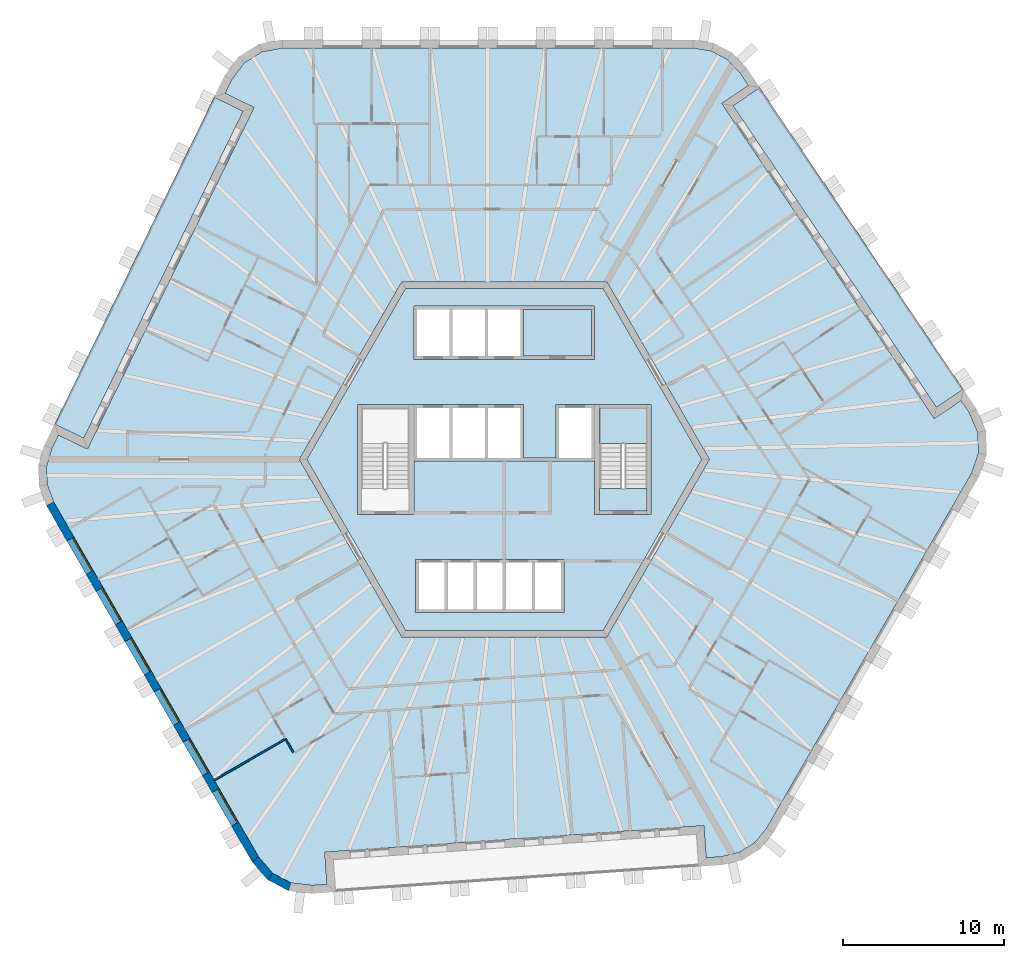
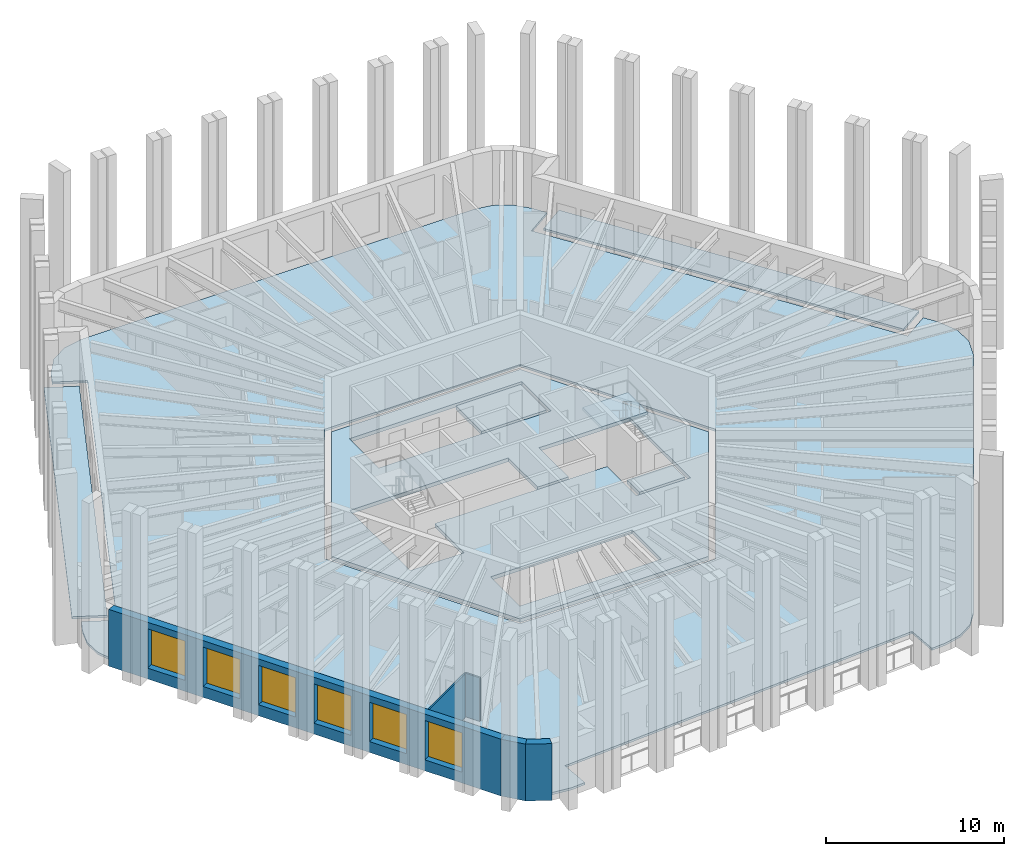
# One storey, part 2 of 13: 7 slabs, 6 windows, 5 walls, 6 openings, 1 element without a shape of its own.
"""IFC4 building model written with IfcOpenShell, lengths in metres."""

from ifc_helpers import new_model, si_unit, direction, frame, frame_2d, origin, place, context, subcontext, project, spatial, polyline, rectangle, outline, extrude, material, layer, layer_set, type_object, element, fill, aggregate, save


model = new_model("IFC4")

# Units and contexts
model_context = context("Model", 3, precision=1e-05, world=origin(), true_north=direction((0.0, 1.0)))
body_context = subcontext(model_context, "Body", "Model", "MODEL_VIEW")
ifc_project = project(units=[si_unit("LENGTHUNIT", "METRE"), si_unit("AREAUNIT", "SQUARE_METRE"), si_unit("VOLUMEUNIT", "CUBIC_METRE"), si_unit("PLANEANGLEUNIT", "RADIAN"), si_unit("MASSUNIT", "GRAM", prefix="KILO")], contexts=[model_context])

# Site, building, storey
site_placement = place(None, origin())
site = spatial("IfcSite", under=ifc_project, at=site_placement, CompositionType="ELEMENT")
building_placement = place(site_placement, origin())
building = spatial("IfcBuilding", under=site, at=building_placement, Name="Tarnside Tower", CompositionType="ELEMENT")
storey_placement = place(building_placement, frame((0.0, 0.0, 303.0)))
storey = spatial("IfcBuildingStorey", under=building, at=storey_placement, Name="L73", CompositionType="ELEMENT", Elevation=303.0)

# Slabs
ifc_material_1 = material(Name="Concrete C35/45", Category="concrete")
ifc_layer_1 = layer(ifc_material_1, 0.14990234375)
ifc_layer_set_1 = layer_set([ifc_layer_1], Name="Composite floor slab 150")
slab_type_1 = type_object("IfcSlabType", Name="Composite floor slab 150", PredefinedType="FLOOR", material=ifc_layer_set_1)
slab_1_placement = place(storey_placement, frame((0.0, 0.0, -0.14990234375)))
element("IfcSlab", 1, at=slab_1_placement, inside=storey, type_object=slab_type_1, Name="Floor slab L73", PredefinedType="FLOOR", context=body_context, shape_type="SweptSolid", body=[
    extrude(outline(polyline([(12.81689453125, 25.312744140625), (13.818115234375, 24.7802734375), (14.610595703125, 23.940185546875), (15.130615234375, 23.169677734375), (13.472412109375, 22.05126953125), (26.638427734375, 2.53173828125), (28.29638671875, 3.650146484375), (28.814697265625, 2.8818359375), (29.336669921875, 1.671875), (29.3818359375, 0.378662109375), (28.945556640625, -0.864990234375), (16.2451171875, -22.86279296875), (15.51318359375, -23.756103515625), (14.55126953125, -24.35693359375), (13.427490234375, -24.623291015625), (12.500244140625, -24.688232421875), (12.360595703125, -22.693115234375), (-11.126708984375, -24.33544921875), (-10.9873046875, -26.33056640625), (-11.91162109375, -26.395263671875), (-13.220458984375, -26.2421875), (-14.363037109375, -25.634765625), (-15.2216796875, -24.635009765625), (-27.922119140625, -2.63720703125), (-28.329833984375, -1.556640625), (-28.369384765625, -0.42333984375), (-28.0380859375, 0.68310546875), (-27.630615234375, 1.5185546875), (-25.8330078125, 0.641845703125), (-15.51171875, 21.8037109375), (-17.309326171875, 22.680419921875), (-16.903076171875, 23.51318359375), (-16.1162109375, 24.5703125), (-15.018798828125, 25.256103515625), (-13.723876953125, 25.5), (11.67724609375, 25.5), (12.81689453125, 25.312744140625)]), holes=[polyline([(-12.70166015625, 0.0), (-6.350830078125, -11.0), (6.350830078125, -11.0), (12.70166015625, 0.0), (6.350830078125, 11.0), (-6.350830078125, 11.0), (-12.70166015625, 0.0)])]), origin(), (0.0, 0.0, 1.0), 0.14990234375),
])
ifc_material_2 = material(Name="Concrete C40/50", Category="concrete")
ifc_layer_2 = layer(ifc_material_2, 0.25)
ifc_layer_set_2 = layer_set([ifc_layer_2], Name="Core slab C40/50")
slab_type_2 = type_object("IfcSlabType", Name="Core slab C40/50", PredefinedType="FLOOR", material=ifc_layer_set_2)
slab_2_placement = place(storey_placement, frame((0.0, 0.0, -0.25)))
element("IfcSlab", 2, at=slab_2_placement, inside=storey, type_object=slab_type_2, Name="L73 core floor slab 1", PredefinedType="FLOOR", context=body_context, shape_type="SweptSolid", body=[
    extrude(outline(polyline([(6.119873046875, 10.60009765625), (12.23974609375, 0.0), (6.119873046875, -10.60009765625), (-6.119873046875, -10.60009765625), (-12.23974609375, 0.0), (-6.119873046875, 10.60009765625), (6.119873046875, 10.60009765625)]), holes=[polyline([(-5.5, -9.5), (3.699951171875, -9.5), (3.699951171875, -9.300048828125), (3.699951171875, -6.39990234375), (3.699951171875, -6.199951171875), (-5.5, -6.199951171875), (-5.5, -6.39990234375), (-5.5, -9.300048828125), (-5.5, -9.5)]), polyline([(-5.60009765625, -3.39990234375), (-5.60009765625, -0.10009765625), (5.60009765625, -0.10009765625), (5.60009765625, -3.39990234375), (5.89990234375, -3.39990234375), (8.85009765625, -3.39990234375), (9.10009765625, -3.39990234375), (9.10009765625, 3.39990234375), (8.85009765625, 3.39990234375), (5.89990234375, 3.39990234375), (5.60009765625, 3.39990234375), (3.39990234375, 3.39990234375), (3.199951171875, 3.39990234375), (3.199951171875, 0.10009765625), (1.199951171875, 0.10009765625), (1.199951171875, 3.39990234375), (1.0, 3.39990234375), (-5.60009765625, 3.39990234375), (-5.89990234375, 3.39990234375), (-8.85009765625, 3.39990234375), (-9.10009765625, 3.39990234375), (-9.10009765625, -3.39990234375), (-8.85009765625, -3.39990234375), (-5.89990234375, -3.39990234375), (-5.60009765625, -3.39990234375)]), polyline([(-5.60009765625, 6.199951171875), (5.60009765625, 6.199951171875), (5.60009765625, 6.39990234375), (5.60009765625, 9.300048828125), (5.60009765625, 9.5), (-5.60009765625, 9.5), (-5.60009765625, 9.300048828125), (-5.60009765625, 6.39990234375), (-5.60009765625, 6.199951171875)])]), origin(), (0.0, 0.0, 1.0), 0.25),
])
slab_3_placement = place(storey_placement, frame((0.0, 0.0, -0.25)))
element("IfcSlab", 3, at=slab_3_placement, inside=storey, type_object=slab_type_2, Name="L73 core floor slab 3", PredefinedType="FLOOR", context=body_context, shape_type="SweptSolid", body=[
    extrude(outline(polyline([(5.89990234375, -1.800048828125), (8.85009765625, -1.800048828125), (8.85009765625, -3.199951171875), (5.89990234375, -3.199951171875), (5.89990234375, -1.800048828125)])), origin(), (0.0, 0.0, 1.0), 0.25),
])
slab_4_placement = place(storey_placement, frame((0.0, 0.0, -0.25)))
element("IfcSlab", 4, at=slab_4_placement, inside=storey, type_object=slab_type_2, Name="L73 core floor slab 4", PredefinedType="FLOOR", context=body_context, shape_type="SweptSolid", body=[
    extrude(outline(polyline([(5.39990234375, 6.39990234375), (1.199951171875, 6.39990234375), (1.199951171875, 9.300048828125), (5.39990234375, 9.300048828125), (5.39990234375, 6.39990234375)])), origin(), (0.0, 0.0, 1.0), 0.25),
])
ifc_material_3 = material(Name="Timber decking", Category="wood")
ifc_layer_3 = layer(ifc_material_3, 0.0400390625)
ifc_material_4 = material(Name="Concrete C60/75 precast", Category="concrete")
ifc_layer_4 = layer(ifc_material_4, 0.110107421875)
ifc_layer_set_3 = layer_set([ifc_layer_3, ifc_layer_4], Name="Loggia deck 150")
slab_type_3 = type_object("IfcSlabType", Name="Loggia deck 150", PredefinedType="FLOOR", material=ifc_layer_set_3)
slab_5_placement = place(storey_placement, frame((0.0, 0.0, -0.14990234375)))
element("IfcSlab", 5, at=slab_5_placement, inside=storey, type_object=slab_type_3, Name="Loggia deck L73 F2", PredefinedType="FLOOR", context=body_context, shape_type="SweptSolid", body=[
    extrude(outline(polyline([(-16.180419921875, 21.573486328125), (-26.063232421875, 1.310302734375), (-27.86083984375, 2.187255859375), (-17.97802734375, 22.4501953125), (-16.180419921875, 21.573486328125)])), origin(), (0.0, 0.0, 1.0), 0.14990234375),
])
slab_6_placement = place(storey_placement, frame((0.0, 0.0, -0.14990234375)))
element("IfcSlab", 6, at=slab_6_placement, inside=storey, type_object=slab_type_3, Name="Loggia deck L73 F6", PredefinedType="FLOOR", context=body_context, shape_type="SweptSolid", body=[
    extrude(outline(polyline([(26.7734375, 3.225830078125), (14.16650390625, 21.916259765625), (15.82470703125, 23.03466796875), (28.431396484375, 4.34423828125), (26.7734375, 3.225830078125)])), origin(), (0.0, 0.0, 1.0), 0.14990234375),
])

# Stair, slab
stair_type = type_object("IfcStairType", Name="Exit stair 1400 clear", PredefinedType="HALF_TURN_STAIR", material=ifc_material_2)
stair_placement = place(storey_placement, origin())
stair = element("IfcStair", 7, at=stair_placement, inside=storey, type_object=stair_type, Name="L73 Exit stair 1", PredefinedType="HALF_TURN_STAIR")
ifc_layer_5 = layer(ifc_material_2, 0.199951171875)
ifc_layer_set_4 = layer_set([ifc_layer_5], Name="Stair landing 200 C40/50")
slab_type_4 = type_object("IfcSlabType", Name="Stair landing 200 C40/50", PredefinedType="LANDING", material=ifc_layer_set_4)
slab_7_placement = place(storey_placement, frame((0.0, 0.0, 1.75)))
slab_7 = element("IfcSlab", 8, at=slab_7_placement, type_object=slab_type_4, Name="ST1 landing 1", PredefinedType="LANDING", context=body_context, shape_type="SweptSolid", body=[
    extrude(outline(polyline([(8.85009765625, 1.0), (8.85009765625, 3.199951171875), (5.89990234375, 3.199951171875), (5.89990234375, 1.0), (8.85009765625, 1.0)])), origin(), (0.0, 0.0, 1.0), 0.199951171875),
])
aggregate(stair, [slab_7])

# Walls
ifc_material_5 = material(Name="Gypsum board partition on steel studs", Category="steel")
ifc_layer_6 = layer(ifc_material_5, 0.10009765625)
ifc_layer_set_5 = layer_set([ifc_layer_6], Name="Partition 100")
wall_type_1 = type_object("IfcWallType", Name="Partition 100", PredefinedType="PARTITIONING", material=ifc_layer_set_5)
wall_1_placement = place(storey_placement, frame((-13.07958984375, -18.1455078125, 0.0), z_axis=(0.0, 0.0, 1.0), x_axis=(-0.49986306505, 0.866104448781, 0.0)))
element("IfcWall", 9, at=wall_1_placement, inside=storey, type_object=wall_type_1, Name="Partition wall 24126", PredefinedType="PARTITIONING", context=body_context, shape_type="SweptSolid", body=[
    extrude(rectangle(XDim=0.951904296875, YDim=0.10009765625, at=frame_2d((0.47607421875, 0.0))), origin(), (0.0, 0.0, 1.0), 2.98779296875),
])
wall_2_placement = place(storey_placement, frame((-13.597900390625, -17.347900390625, 0.0), z_axis=(0.0, 0.0, 1.0), x_axis=(-0.866026981659, -0.499997267031, 0.0)))
element("IfcWall", 10, at=wall_2_placement, inside=storey, type_object=wall_type_1, Name="Partition wall 24127", PredefinedType="PARTITIONING", context=body_context, shape_type="SweptSolid", body=[
    extrude(rectangle(XDim=5.0498046875, YDim=0.10009765625, at=frame_2d((2.52490234375, 0.0))), origin(), (0.0, 0.0, 1.0), 2.98779296875),
])

# Wall, openings, windows
ifc_material_6 = material(Name="Facing brick", Category="masonry")
ifc_layer_7 = layer(ifc_material_6, 0.10205078125)
ifc_layer_8 = layer(ifc_material_4, 0.298095703125)
ifc_material_7 = material(Name="Mineral wool insulation")
ifc_layer_9 = layer(ifc_material_7, 0.10009765625)
ifc_layer_set_6 = layer_set([ifc_layer_7, ifc_layer_8, ifc_layer_9], Name="Tube wall 500 brick faced")
wall_type_2 = type_object("IfcWallType", Name="Tube wall 500 brick faced", PredefinedType="SOLIDWALL", material=ifc_layer_set_6)
wall_3_placement = place(storey_placement, frame((-28.14892578125, -2.74462890625, -0.14990234375), z_axis=(0.0, 0.0, 1.0), x_axis=(0.500003737743, -0.866023245787, 0.0)))
wall_3 = element("IfcWall", 11, at=wall_3_placement, inside=storey, type_object=wall_type_2, Name="Tube wall L73 F3 flush 12", PredefinedType="SOLIDWALL", context=body_context, shape_type="SweptSolid", body=[
    extrude(outline(polyline([(-0.0205078125, -0.25), (25.468017578125, -0.25), (25.421142578125, 0.25), (0.0205078125, 0.25), (-0.0205078125, -0.25)])), origin(), (0.0, 0.0, 1.0), 3.89990234375),
])
opening_1_placement = place(wall_3_placement, frame((2.5224609375, 0.0, 0.75)))
opening_1 = element("IfcOpeningElement", 12, at=opening_1_placement, cuts=wall_3, Name="Opening WR", PredefinedType="OPENING", context=body_context, shape_type="SweptSolid", body=[
    extrude(rectangle(XDim=2.39990234375, YDim=2.699951171875, at=frame_2d((1.199951171875, 1.35009765625))), frame((0.0, 0.260009765625, 0.0), z_axis=(0.0, -1.0, 0.0), x_axis=(1.0, 0.0, 0.0)), (0.0, 0.0, 1.0), 0.52001953125),
])
opening_2_placement = place(wall_3_placement, frame((6.122314453125, 0.0, 0.75)))
opening_2 = element("IfcOpeningElement", 13, at=opening_2_placement, cuts=wall_3, Name="Opening WR", PredefinedType="OPENING", context=body_context, shape_type="SweptSolid", body=[
    extrude(rectangle(XDim=2.39990234375, YDim=2.699951171875, at=frame_2d((1.199951171875, 1.35009765625))), frame((0.0, 0.260009765625, 0.0), z_axis=(0.0, -1.0, 0.0), x_axis=(1.0, 0.0, 0.0)), (0.0, 0.0, 1.0), 0.52001953125),
])
opening_3_placement = place(wall_3_placement, frame((9.722412109375, 0.0, 0.75)))
opening_3 = element("IfcOpeningElement", 14, at=opening_3_placement, cuts=wall_3, Name="Opening WR", PredefinedType="OPENING", context=body_context, shape_type="SweptSolid", body=[
    extrude(rectangle(XDim=2.39990234375, YDim=2.699951171875, at=frame_2d((1.199951171875, 1.35009765625))), frame((0.0, 0.260009765625, 0.0), z_axis=(0.0, -1.0, 0.0), x_axis=(1.0, 0.0, 0.0)), (0.0, 0.0, 1.0), 0.52001953125),
])
opening_4_placement = place(wall_3_placement, frame((13.322509765625, 0.0, 0.75)))
opening_4 = element("IfcOpeningElement", 15, at=opening_4_placement, cuts=wall_3, Name="Opening WR", PredefinedType="OPENING", context=body_context, shape_type="SweptSolid", body=[
    extrude(rectangle(XDim=2.39990234375, YDim=2.699951171875, at=frame_2d((1.199951171875, 1.35009765625))), frame((0.0, 0.260009765625, 0.0), z_axis=(0.0, -1.0, 0.0), x_axis=(1.0, 0.0, 0.0)), (0.0, 0.0, 1.0), 0.52001953125),
])
opening_5_placement = place(wall_3_placement, frame((16.92236328125, 0.0, 0.75)))
opening_5 = element("IfcOpeningElement", 16, at=opening_5_placement, cuts=wall_3, Name="Opening WR", PredefinedType="OPENING", context=body_context, shape_type="SweptSolid", body=[
    extrude(rectangle(XDim=2.39990234375, YDim=2.699951171875, at=frame_2d((1.199951171875, 1.35009765625))), frame((0.0, 0.260009765625, 0.0), z_axis=(0.0, -1.0, 0.0), x_axis=(1.0, 0.0, 0.0)), (0.0, 0.0, 1.0), 0.52001953125),
])
opening_6_placement = place(wall_3_placement, frame((20.5224609375, 0.0, 0.75)))
opening_6 = element("IfcOpeningElement", 17, at=opening_6_placement, cuts=wall_3, Name="Opening WR", PredefinedType="OPENING", context=body_context, shape_type="SweptSolid", body=[
    extrude(rectangle(XDim=2.39990234375, YDim=2.699951171875, at=frame_2d((1.199951171875, 1.35009765625))), frame((0.0, 0.260009765625, 0.0), z_axis=(0.0, -1.0, 0.0), x_axis=(1.0, 0.0, 0.0)), (0.0, 0.0, 1.0), 0.52001953125),
])
ifc_material_8 = material(Name="Aluminium-framed double glazing", Category="aluminium")
window_type = type_object("IfcWindowType", Name="Residence window 2400 x 2700", PartitioningType="DOUBLE_PANEL_VERTICAL", PredefinedType="WINDOW", material=ifc_material_8)
window_1_placement = place(opening_1_placement, frame((0.0, 0.179931640625, 0.0)))
window_1 = element("IfcWindow", 18, at=window_1_placement, inside=storey, type_object=window_type, Name="E.WN.L73.F3.00", OverallHeight=2.699951171875, OverallWidth=2.39990234375, PartitioningType="DOUBLE_PANEL_VERTICAL", PredefinedType="WINDOW", context=body_context, shape_type="SweptSolid", body=[
    extrude(rectangle(XDim=2.39990234375, YDim=2.699951171875, at=frame_2d((1.199951171875, 1.35009765625))), frame((0.0, 0.030029296875, 0.0), z_axis=(0.0, -1.0, 0.0), x_axis=(1.0, 0.0, 0.0)), (0.0, 0.0, 1.0), 0.06005859375),
])
fill(opening_1, window_1)
window_2_placement = place(opening_2_placement, frame((0.0, 0.179931640625, 0.0)))
window_2 = element("IfcWindow", 19, at=window_2_placement, inside=storey, type_object=window_type, Name="E.WN.L73.F3.01", OverallHeight=2.699951171875, OverallWidth=2.39990234375, PartitioningType="DOUBLE_PANEL_VERTICAL", PredefinedType="WINDOW", context=body_context, shape_type="SweptSolid", body=[
    extrude(rectangle(XDim=2.39990234375, YDim=2.699951171875, at=frame_2d((1.199951171875, 1.35009765625))), frame((0.0, 0.030029296875, 0.0), z_axis=(0.0, -1.0, 0.0), x_axis=(1.0, 0.0, 0.0)), (0.0, 0.0, 1.0), 0.06005859375),
])
fill(opening_2, window_2)
window_3_placement = place(opening_3_placement, frame((0.0, 0.179931640625, 0.0)))
window_3 = element("IfcWindow", 20, at=window_3_placement, inside=storey, type_object=window_type, Name="E.WN.L73.F3.02", OverallHeight=2.699951171875, OverallWidth=2.39990234375, PartitioningType="DOUBLE_PANEL_VERTICAL", PredefinedType="WINDOW", context=body_context, shape_type="SweptSolid", body=[
    extrude(rectangle(XDim=2.39990234375, YDim=2.699951171875, at=frame_2d((1.199951171875, 1.35009765625))), frame((0.0, 0.030029296875, 0.0), z_axis=(0.0, -1.0, 0.0), x_axis=(1.0, 0.0, 0.0)), (0.0, 0.0, 1.0), 0.06005859375),
])
fill(opening_3, window_3)
window_4_placement = place(opening_4_placement, frame((0.0, 0.179931640625, 0.0)))
window_4 = element("IfcWindow", 21, at=window_4_placement, inside=storey, type_object=window_type, Name="E.WN.L73.F3.03", OverallHeight=2.699951171875, OverallWidth=2.39990234375, PartitioningType="DOUBLE_PANEL_VERTICAL", PredefinedType="WINDOW", context=body_context, shape_type="SweptSolid", body=[
    extrude(rectangle(XDim=2.39990234375, YDim=2.699951171875, at=frame_2d((1.199951171875, 1.35009765625))), frame((0.0, 0.030029296875, 0.0), z_axis=(0.0, -1.0, 0.0), x_axis=(1.0, 0.0, 0.0)), (0.0, 0.0, 1.0), 0.06005859375),
])
fill(opening_4, window_4)
window_5_placement = place(opening_5_placement, frame((0.0, 0.179931640625, 0.0)))
window_5 = element("IfcWindow", 22, at=window_5_placement, inside=storey, type_object=window_type, Name="E.WN.L73.F3.04", OverallHeight=2.699951171875, OverallWidth=2.39990234375, PartitioningType="DOUBLE_PANEL_VERTICAL", PredefinedType="WINDOW", context=body_context, shape_type="SweptSolid", body=[
    extrude(rectangle(XDim=2.39990234375, YDim=2.699951171875, at=frame_2d((1.199951171875, 1.35009765625))), frame((0.0, 0.030029296875, 0.0), z_axis=(0.0, -1.0, 0.0), x_axis=(1.0, 0.0, 0.0)), (0.0, 0.0, 1.0), 0.06005859375),
])
fill(opening_5, window_5)
window_6_placement = place(opening_6_placement, frame((0.0, 0.179931640625, 0.0)))
window_6 = element("IfcWindow", 23, at=window_6_placement, inside=storey, type_object=window_type, Name="E.WN.L73.F3.05", OverallHeight=2.699951171875, OverallWidth=2.39990234375, PartitioningType="DOUBLE_PANEL_VERTICAL", PredefinedType="WINDOW", context=body_context, shape_type="SweptSolid", body=[
    extrude(rectangle(XDim=2.39990234375, YDim=2.699951171875, at=frame_2d((1.199951171875, 1.35009765625))), frame((0.0, 0.030029296875, 0.0), z_axis=(0.0, -1.0, 0.0), x_axis=(1.0, 0.0, 0.0)), (0.0, 0.0, 1.0), 0.06005859375),
])
fill(opening_6, window_6)

# Walls
wall_4_placement = place(storey_placement, frame((-15.426513671875, -24.7802734375, -0.14990234375), z_axis=(0.0, 0.0, 1.0), x_axis=(0.651616566281, -0.758548515619, 0.0)))
element("IfcWall", 24, at=wall_4_placement, inside=storey, type_object=wall_type_2, Name="Tube wall L73 F3 chord 13", PredefinedType="SOLIDWALL", context=body_context, shape_type="SweptSolid", body=[
    extrude(outline(polyline([(-0.0234375, -0.25), (1.435302734375, -0.25), (1.341064453125, 0.25), (0.0234375, 0.25), (-0.0234375, -0.25)])), origin(), (0.0, 0.0, 1.0), 3.89990234375),
])
wall_5_placement = place(storey_placement, frame((-14.52197265625, -25.833251953125, -0.14990234375), z_axis=(0.0, 0.0, 1.0), x_axis=(0.882926676147, -0.469510899286, 0.0)))
element("IfcWall", 25, at=wall_5_placement, inside=storey, type_object=wall_type_2, Name="Tube wall L73 F3 chord 14", PredefinedType="SOLIDWALL", context=body_context, shape_type="SweptSolid", body=[
    extrude(outline(polyline([(-0.047119140625, -0.25), (1.435546875, -0.25), (1.34130859375, 0.25), (0.047119140625, 0.25), (-0.047119140625, -0.25)])), origin(), (0.0, 0.0, 1.0), 3.89990234375),
])

save(model, "model.ifc")
